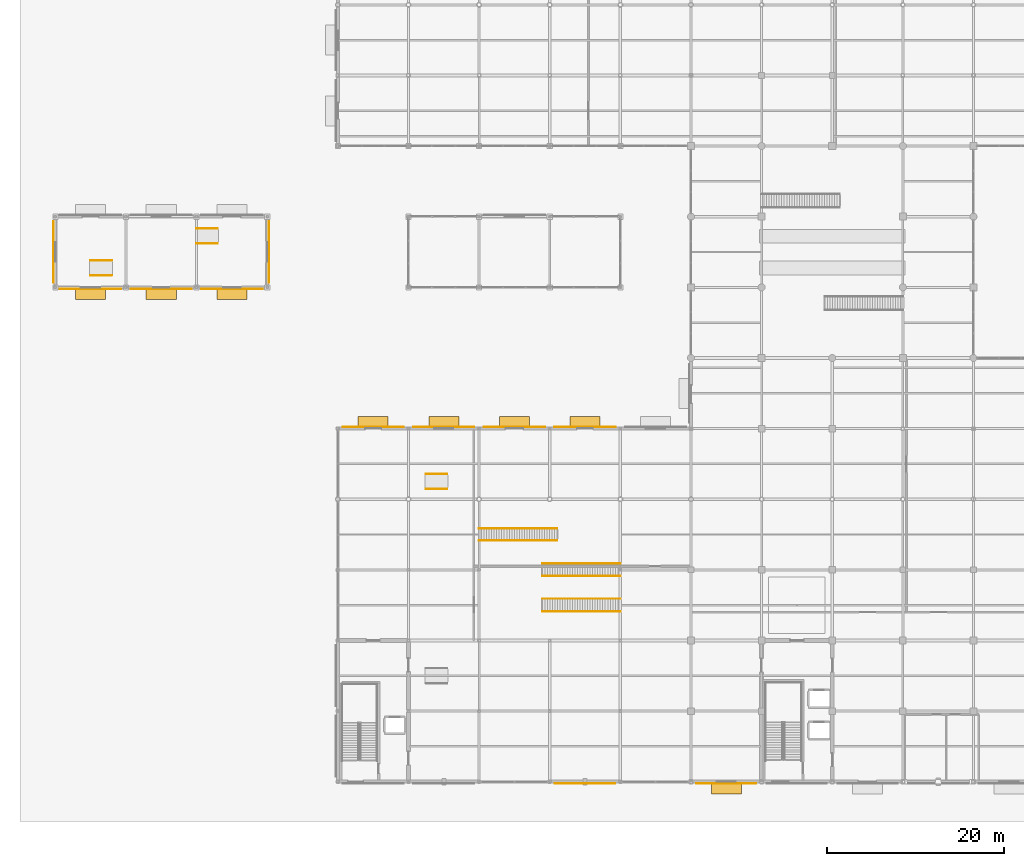
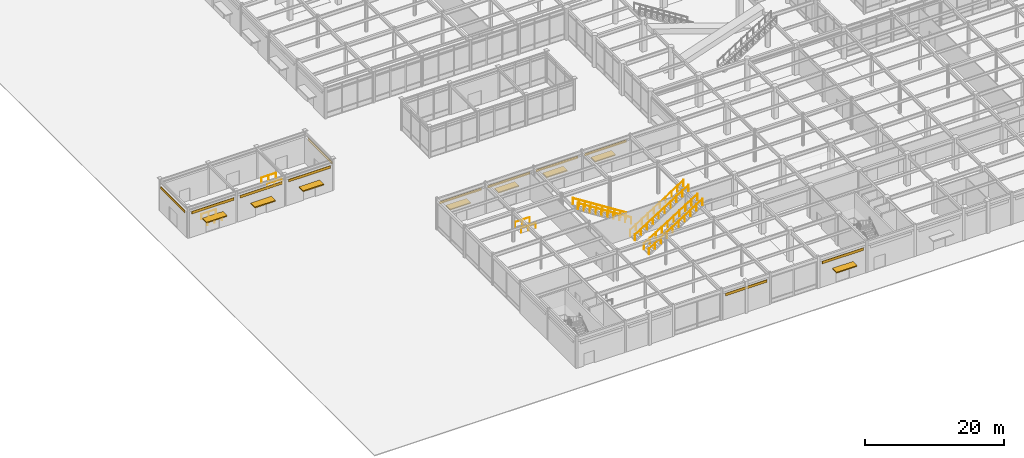
# One storey, part 118 of 128: 18 railings, 11 coverings, 8 shading devices.
"""IFC4 building model written with IfcOpenShell, lengths in metres."""

from ifc_helpers import new_model, si_unit, direction, frame, origin, origin_2d, place, context, subcontext, project, spatial, rectangle, circle, extrude, material, layer, layer_set, type_object, element, save


model = new_model("IFC4")

# Units and contexts
model_context = context("Model", 3, precision=1e-05, world=origin(), true_north=direction((0.0, 1.0)))
body_context = subcontext(model_context, "Body", "Model", "MODEL_VIEW")
ifc_project = project(units=[si_unit("LENGTHUNIT", "METRE"), si_unit("AREAUNIT", "SQUARE_METRE"), si_unit("VOLUMEUNIT", "CUBIC_METRE"), si_unit("PLANEANGLEUNIT", "RADIAN"), si_unit("MASSUNIT", "GRAM", prefix="KILO")], contexts=[model_context])

# Site, building, storey
site_placement = place(None, origin())
site = spatial("IfcSite", under=ifc_project, at=site_placement, CompositionType="ELEMENT")
building_placement = place(site_placement, origin())
building = spatial("IfcBuilding", under=site, at=building_placement, Name="Solmirada Galleria", CompositionType="ELEMENT")
storey_placement = place(building_placement, origin())
storey = spatial("IfcBuildingStorey", under=building, at=storey_placement, Name="L00", CompositionType="ELEMENT", Elevation=0.0)

# Coverings
ifc_material_1 = material(Name="Limestone cladding panels", Category="masonry")
ifc_layer = layer(ifc_material_1, 0.044921875)
ifc_layer_set = layer_set([ifc_layer], Name="Limestone cladding panels")
covering_type = type_object("IfcCoveringType", Name="COV-CLAD-LIME", PredefinedType="CLADDING", material=ifc_layer_set)
covering_1_placement = place(storey_placement, frame((84.0, -0.1923828125, 4.090087890625), z_axis=(0.0, 0.0, 1.0), x_axis=(-1.0, 0.0, 0.0)))
element("IfcCovering", 1, at=covering_1_placement, inside=storey, type_object=covering_type, Name="Postmodern facade cladding L00-043", PredefinedType="CLADDING", context=body_context, shape_type="SweptSolid", body=[
    extrude(rectangle(XDim=6.7939453125, YDim=0.044921875, at=origin_2d()), origin(), (0.0, 0.0, 1.0), 0.4599609375),
])
covering_2_placement = place(storey_placement, frame((68.0, -0.1923828125, 4.090087890625), z_axis=(0.0, 0.0, 1.0), x_axis=(-1.0, 0.0, 0.0)))
element("IfcCovering", 2, at=covering_2_placement, inside=storey, type_object=covering_type, Name="Postmodern facade cladding L00-044", PredefinedType="CLADDING", context=body_context, shape_type="SweptSolid", body=[
    extrude(rectangle(XDim=6.89501953125, YDim=0.044921875, at=origin_2d()), origin(), (0.0, 0.0, 1.0), 0.4599609375),
])
covering_3_placement = place(storey_placement, frame((44.0, 40.1923828125, 4.090087890625), z_axis=(0.0, 0.0, 1.0), x_axis=(1.0, 0.0, 0.0)))
element("IfcCovering", 3, at=covering_3_placement, inside=storey, type_object=covering_type, Name="Postmodern facade cladding L00-049", PredefinedType="CLADDING", context=body_context, shape_type="SweptSolid", body=[
    extrude(rectangle(XDim=6.92041015625, YDim=0.044921875, at=origin_2d()), origin(), (0.0, 0.0, 1.0), 0.4599609375),
])
for number, where, z_axis, x_axis, name in (
    (4, (52.0, 40.1923828125, 4.090087890625), (0.0, 0.0, 1.0), (1.0, 0.0, 0.0), "Postmodern facade cladding L00-050"),
    (5, (60.0, 40.1923828125, 4.090087890625), (0.0, 0.0, 1.0), (1.0, 0.0, 0.0), "Postmodern facade cladding L00-051"),
    (6, (68.0, 40.1923828125, 4.090087890625), (0.0, 0.0, 1.0), (1.0, 0.0, 0.0), "Postmodern facade cladding L00-052"),
    (7, (28.0, 55.8076171875, 4.090087890625), (0.0, 0.0, 1.0), (-1.0, 0.0, 0.0), "Postmodern facade cladding L00-054"),
    (8, (20.0, 55.8076171875, 4.090087890625), (0.0, 0.0, 1.0), (-1.0, 0.0, 0.0), "Postmodern facade cladding L00-055"),
    (9, (12.0, 55.8076171875, 4.090087890625), (0.0, 0.0, 1.0), (-1.0, 0.0, 0.0), "Postmodern facade cladding L00-056"),
    (10, (7.8076171875, 60.0, 4.090087890625), (0.0, 0.0, 1.0), (0.0, 1.0, 0.0), "Postmodern facade cladding L00-057"),
    (11, (32.1923828125, 60.0, 4.090087890625), (0.0, 0.0, 1.0), (0.0, -1.0, 0.0), "Postmodern facade cladding L00-061"),
):
    element("IfcCovering", number, at=place(storey_placement, frame(where, z_axis=z_axis, x_axis=x_axis)), inside=storey, type_object=covering_type, Name=name, PredefinedType="CLADDING", context=body_context, shape_type="SweptSolid", body=[
        extrude(rectangle(XDim=6.946044921875, YDim=0.044921875, at=origin_2d()), origin(), (0.0, 0.0, 1.0), 0.4599609375),
    ])

# Railings
ifc_material_2 = material(Name="Painted steel tubular railing", Category="steel")
railing_type_1 = type_object("IfcRailingType", Name="RAIL-STAIR-GUARD", PredefinedType="GUARDRAIL", material=ifc_material_2)
for number, where, name in (
    (12, (63.1650390625, 19.27490234375, 0.0), "Grand feature stair ST9 guardrail 1"),
    (13, (63.1650390625, 20.72509765625, 0.0), "Grand feature stair ST9 guardrail 2"),
):
    element("IfcRailing", number, at=place(storey_placement, frame(where)), inside=storey, type_object=railing_type_1, Name=name, PredefinedType="GUARDRAIL", context=body_context, shape_type="SweptSolid", body=[
        extrude(circle(Radius=0.02392578125, at=origin_2d()), frame((0.0, 0.0, 1.09619140625), z_axis=(0.844619268308, 0.0, 0.535367436069), x_axis=(0.0, 1.0, 0.0)), (0.0, 0.0, 1.0), 10.460205078125),
        extrude(circle(Radius=0.02099609375, at=origin_2d()), origin(), (0.0, 0.0, 1.0), 1.068115234375),
        extrude(circle(Radius=0.02099609375, at=origin_2d()), frame((0.981689453125, 0.0, 0.622314453125)), (0.0, 0.0, 1.0), 1.068115234375),
        extrude(circle(Radius=0.02099609375, at=origin_2d()), frame((1.96337890625, 0.0, 1.244384765625)), (0.0, 0.0, 1.0), 1.068115234375),
        extrude(circle(Radius=0.02099609375, at=origin_2d()), frame((2.945068359375, 0.0, 1.86669921875)), (0.0, 0.0, 1.0), 1.068115234375),
        extrude(circle(Radius=0.02099609375, at=origin_2d()), frame((3.9267578125, 0.0, 2.489013671875)), (0.0, 0.0, 1.0), 1.068115234375),
        extrude(circle(Radius=0.02099609375, at=origin_2d()), frame((4.908203125, 0.0, 3.111083984375)), (0.0, 0.0, 1.0), 1.068115234375),
        extrude(circle(Radius=0.02099609375, at=origin_2d()), frame((5.889892578125, 0.0, 3.7333984375)), (0.0, 0.0, 1.0), 1.068115234375),
        extrude(circle(Radius=0.02099609375, at=origin_2d()), frame((6.87158203125, 0.0, 4.355712890625)), (0.0, 0.0, 1.0), 1.068115234375),
        extrude(circle(Radius=0.02099609375, at=origin_2d()), frame((7.853271484375, 0.0, 4.977783203125)), (0.0, 0.0, 1.0), 1.068115234375),
        extrude(circle(Radius=0.02099609375, at=origin_2d()), frame((8.8349609375, 0.0, 5.60009765625)), (0.0, 0.0, 1.0), 1.068115234375),
    ])
for number, where, name in (
    (14, (64.8349609375, 27.300048828125, 0.0), "Grand feature stair ST10 guardrail 1"),
    (15, (64.8349609375, 28.699951171875, 0.0), "Grand feature stair ST10 guardrail 2"),
):
    element("IfcRailing", number, at=place(storey_placement, frame(where)), inside=storey, type_object=railing_type_1, Name=name, PredefinedType="GUARDRAIL", context=body_context, shape_type="SweptSolid", body=[
        extrude(circle(Radius=0.02392578125, at=origin_2d()), frame((0.0, 0.0, 1.09619140625), z_axis=(-0.844619268308, 0.0, 0.535367436069), x_axis=(0.0, -1.0, 0.0)), (0.0, 0.0, 1.0), 10.460205078125),
        extrude(circle(Radius=0.02099609375, at=origin_2d()), origin(), (0.0, 0.0, 1.0), 1.068115234375),
        extrude(circle(Radius=0.02099609375, at=origin_2d()), frame((-0.981689453125, 0.0, 0.622314453125)), (0.0, 0.0, 1.0), 1.068115234375),
        extrude(circle(Radius=0.02099609375, at=origin_2d()), frame((-1.96337890625, 0.0, 1.244384765625)), (0.0, 0.0, 1.0), 1.068115234375),
        extrude(circle(Radius=0.02099609375, at=origin_2d()), frame((-2.945068359375, 0.0, 1.86669921875)), (0.0, 0.0, 1.0), 1.068115234375),
        extrude(circle(Radius=0.02099609375, at=origin_2d()), frame((-3.9267578125, 0.0, 2.489013671875)), (0.0, 0.0, 1.0), 1.068115234375),
        extrude(circle(Radius=0.02099609375, at=origin_2d()), frame((-4.908203125, 0.0, 3.111083984375)), (0.0, 0.0, 1.0), 1.068115234375),
        extrude(circle(Radius=0.02099609375, at=origin_2d()), frame((-5.889892578125, 0.0, 3.7333984375)), (0.0, 0.0, 1.0), 1.068115234375),
        extrude(circle(Radius=0.02099609375, at=origin_2d()), frame((-6.87158203125, 0.0, 4.355712890625)), (0.0, 0.0, 1.0), 1.068115234375),
        extrude(circle(Radius=0.02099609375, at=origin_2d()), frame((-7.853271484375, 0.0, 4.977783203125)), (0.0, 0.0, 1.0), 1.068115234375),
        extrude(circle(Radius=0.02099609375, at=origin_2d()), frame((-8.8349609375, 0.0, 5.60009765625)), (0.0, 0.0, 1.0), 1.068115234375),
    ])
for number, where, name in (
    (16, (63.1650390625, 23.300048828125, 0.0), "Grand feature stair ST11 guardrail 1"),
    (17, (63.1650390625, 24.699951171875, 0.0), "Grand feature stair ST11 guardrail 2"),
):
    element("IfcRailing", number, at=place(storey_placement, frame(where)), inside=storey, type_object=railing_type_1, Name=name, PredefinedType="GUARDRAIL", context=body_context, shape_type="SweptSolid", body=[
        extrude(circle(Radius=0.02392578125, at=origin_2d()), frame((0.0, 0.0, 1.09619140625), z_axis=(0.844619268308, 0.0, 0.535367436069), x_axis=(0.0, 1.0, 0.0)), (0.0, 0.0, 1.0), 10.460205078125),
        extrude(circle(Radius=0.02099609375, at=origin_2d()), origin(), (0.0, 0.0, 1.0), 1.068115234375),
        extrude(circle(Radius=0.02099609375, at=origin_2d()), frame((0.981689453125, 0.0, 0.622314453125)), (0.0, 0.0, 1.0), 1.068115234375),
        extrude(circle(Radius=0.02099609375, at=origin_2d()), frame((1.96337890625, 0.0, 1.244384765625)), (0.0, 0.0, 1.0), 1.068115234375),
        extrude(circle(Radius=0.02099609375, at=origin_2d()), frame((2.945068359375, 0.0, 1.86669921875)), (0.0, 0.0, 1.0), 1.068115234375),
        extrude(circle(Radius=0.02099609375, at=origin_2d()), frame((3.9267578125, 0.0, 2.489013671875)), (0.0, 0.0, 1.0), 1.068115234375),
        extrude(circle(Radius=0.02099609375, at=origin_2d()), frame((4.908203125, 0.0, 3.111083984375)), (0.0, 0.0, 1.0), 1.068115234375),
        extrude(circle(Radius=0.02099609375, at=origin_2d()), frame((5.889892578125, 0.0, 3.7333984375)), (0.0, 0.0, 1.0), 1.068115234375),
        extrude(circle(Radius=0.02099609375, at=origin_2d()), frame((6.87158203125, 0.0, 4.355712890625)), (0.0, 0.0, 1.0), 1.068115234375),
        extrude(circle(Radius=0.02099609375, at=origin_2d()), frame((7.853271484375, 0.0, 4.977783203125)), (0.0, 0.0, 1.0), 1.068115234375),
        extrude(circle(Radius=0.02099609375, at=origin_2d()), frame((8.8349609375, 0.0, 5.60009765625)), (0.0, 0.0, 1.0), 1.068115234375),
    ])
railing_type_2 = type_object("IfcRailingType", Name="RAIL-STAIR-HAND", PredefinedType="HANDRAIL", material=ifc_material_2)
for number, where, name in (
    (18, (63.1650390625, 19.27490234375, 0.175048828125), "Grand feature stair ST9 handrail 1"),
    (19, (63.1650390625, 20.72509765625, 0.175048828125), "Grand feature stair ST9 handrail 2"),
):
    element("IfcRailing", number, at=place(storey_placement, frame(where)), inside=storey, type_object=railing_type_2, Name=name, PredefinedType="HANDRAIL", context=body_context, shape_type="SweptSolid", body=[
        extrude(circle(Radius=0.02392578125, at=origin_2d()), frame((0.0, 0.0, 0.8759765625), z_axis=(0.844629822088, 0.0, 0.535350785598), x_axis=(0.0, 1.0, 0.0)), (0.0, 0.0, 1.0), 10.460205078125),
        extrude(circle(Radius=0.02099609375, at=origin_2d()), origin(), (0.0, 0.0, 1.0), 0.847900390625),
        extrude(circle(Radius=0.02099609375, at=origin_2d()), frame((0.981689453125, 0.0, 0.622314453125)), (0.0, 0.0, 1.0), 0.847900390625),
        extrude(circle(Radius=0.02099609375, at=origin_2d()), frame((1.96337890625, 0.0, 1.244384765625)), (0.0, 0.0, 1.0), 0.847900390625),
        extrude(circle(Radius=0.02099609375, at=origin_2d()), frame((2.945068359375, 0.0, 1.86669921875)), (0.0, 0.0, 1.0), 0.847900390625),
        extrude(circle(Radius=0.02099609375, at=origin_2d()), frame((3.9267578125, 0.0, 2.48876953125)), (0.0, 0.0, 1.0), 0.847900390625),
        extrude(circle(Radius=0.02099609375, at=origin_2d()), frame((4.908203125, 0.0, 3.111083984375)), (0.0, 0.0, 1.0), 0.847900390625),
        extrude(circle(Radius=0.02099609375, at=origin_2d()), frame((5.889892578125, 0.0, 3.733154296875)), (0.0, 0.0, 1.0), 0.847900390625),
        extrude(circle(Radius=0.02099609375, at=origin_2d()), frame((6.87158203125, 0.0, 4.35546875)), (0.0, 0.0, 1.0), 0.847900390625),
        extrude(circle(Radius=0.02099609375, at=origin_2d()), frame((7.853271484375, 0.0, 4.9775390625)), (0.0, 0.0, 1.0), 0.847900390625),
        extrude(circle(Radius=0.02099609375, at=origin_2d()), frame((8.8349609375, 0.0, 5.599853515625)), (0.0, 0.0, 1.0), 0.847900390625),
    ])
for number, where, name in (
    (20, (64.8349609375, 27.300048828125, 0.175048828125), "Grand feature stair ST10 handrail 1"),
    (21, (64.8349609375, 28.699951171875, 0.175048828125), "Grand feature stair ST10 handrail 2"),
):
    element("IfcRailing", number, at=place(storey_placement, frame(where)), inside=storey, type_object=railing_type_2, Name=name, PredefinedType="HANDRAIL", context=body_context, shape_type="SweptSolid", body=[
        extrude(circle(Radius=0.02392578125, at=origin_2d()), frame((0.0, 0.0, 0.8759765625), z_axis=(-0.844629822088, 0.0, 0.535350785598), x_axis=(0.0, -1.0, 0.0)), (0.0, 0.0, 1.0), 10.460205078125),
        extrude(circle(Radius=0.02099609375, at=origin_2d()), origin(), (0.0, 0.0, 1.0), 0.847900390625),
        extrude(circle(Radius=0.02099609375, at=origin_2d()), frame((-0.981689453125, 0.0, 0.622314453125)), (0.0, 0.0, 1.0), 0.847900390625),
        extrude(circle(Radius=0.02099609375, at=origin_2d()), frame((-1.96337890625, 0.0, 1.244384765625)), (0.0, 0.0, 1.0), 0.847900390625),
        extrude(circle(Radius=0.02099609375, at=origin_2d()), frame((-2.945068359375, 0.0, 1.86669921875)), (0.0, 0.0, 1.0), 0.847900390625),
        extrude(circle(Radius=0.02099609375, at=origin_2d()), frame((-3.9267578125, 0.0, 2.48876953125)), (0.0, 0.0, 1.0), 0.847900390625),
        extrude(circle(Radius=0.02099609375, at=origin_2d()), frame((-4.908203125, 0.0, 3.111083984375)), (0.0, 0.0, 1.0), 0.847900390625),
        extrude(circle(Radius=0.02099609375, at=origin_2d()), frame((-5.889892578125, 0.0, 3.733154296875)), (0.0, 0.0, 1.0), 0.847900390625),
        extrude(circle(Radius=0.02099609375, at=origin_2d()), frame((-6.87158203125, 0.0, 4.35546875)), (0.0, 0.0, 1.0), 0.847900390625),
        extrude(circle(Radius=0.02099609375, at=origin_2d()), frame((-7.853271484375, 0.0, 4.9775390625)), (0.0, 0.0, 1.0), 0.847900390625),
        extrude(circle(Radius=0.02099609375, at=origin_2d()), frame((-8.8349609375, 0.0, 5.599853515625)), (0.0, 0.0, 1.0), 0.847900390625),
    ])
for number, where, name in (
    (22, (63.1650390625, 23.300048828125, 0.175048828125), "Grand feature stair ST11 handrail 1"),
    (23, (63.1650390625, 24.699951171875, 0.175048828125), "Grand feature stair ST11 handrail 2"),
):
    element("IfcRailing", number, at=place(storey_placement, frame(where)), inside=storey, type_object=railing_type_2, Name=name, PredefinedType="HANDRAIL", context=body_context, shape_type="SweptSolid", body=[
        extrude(circle(Radius=0.02392578125, at=origin_2d()), frame((0.0, 0.0, 0.8759765625), z_axis=(0.844629822088, 0.0, 0.535350785598), x_axis=(0.0, 1.0, 0.0)), (0.0, 0.0, 1.0), 10.460205078125),
        extrude(circle(Radius=0.02099609375, at=origin_2d()), origin(), (0.0, 0.0, 1.0), 0.847900390625),
        extrude(circle(Radius=0.02099609375, at=origin_2d()), frame((0.981689453125, 0.0, 0.622314453125)), (0.0, 0.0, 1.0), 0.847900390625),
        extrude(circle(Radius=0.02099609375, at=origin_2d()), frame((1.96337890625, 0.0, 1.244384765625)), (0.0, 0.0, 1.0), 0.847900390625),
        extrude(circle(Radius=0.02099609375, at=origin_2d()), frame((2.945068359375, 0.0, 1.86669921875)), (0.0, 0.0, 1.0), 0.847900390625),
        extrude(circle(Radius=0.02099609375, at=origin_2d()), frame((3.9267578125, 0.0, 2.48876953125)), (0.0, 0.0, 1.0), 0.847900390625),
        extrude(circle(Radius=0.02099609375, at=origin_2d()), frame((4.908203125, 0.0, 3.111083984375)), (0.0, 0.0, 1.0), 0.847900390625),
        extrude(circle(Radius=0.02099609375, at=origin_2d()), frame((5.889892578125, 0.0, 3.733154296875)), (0.0, 0.0, 1.0), 0.847900390625),
        extrude(circle(Radius=0.02099609375, at=origin_2d()), frame((6.87158203125, 0.0, 4.35546875)), (0.0, 0.0, 1.0), 0.847900390625),
        extrude(circle(Radius=0.02099609375, at=origin_2d()), frame((7.853271484375, 0.0, 4.9775390625)), (0.0, 0.0, 1.0), 0.847900390625),
        extrude(circle(Radius=0.02099609375, at=origin_2d()), frame((8.8349609375, 0.0, 5.599853515625)), (0.0, 0.0, 1.0), 0.847900390625),
    ])
for number, where, name in (
    (24, (12.0, 57.35009765625, 0.0), "Accessible ramp handrail AR-W1-1"),
    (25, (12.0, 59.050048828125, 0.0), "Accessible ramp handrail AR-W1-2"),
    (26, (24.0, 60.949951171875, 0.0), "Accessible ramp handrail AR-W2-1"),
    (27, (24.0, 62.64990234375, 0.0), "Accessible ramp handrail AR-W2-2"),
    (28, (50.0, 33.14990234375, 0.0), "Accessible ramp handrail AR-SW2-1"),
    (29, (50.0, 34.85009765625, 0.0), "Accessible ramp handrail AR-SW2-2"),
):
    element("IfcRailing", number, at=place(storey_placement, frame(where)), inside=storey, type_object=railing_type_2, Name=name, PredefinedType="HANDRAIL", context=body_context, shape_type="SweptSolid", body=[
        extrude(circle(Radius=0.02392578125, at=origin_2d()), frame((0.0, 0.0, 0.8759765625), z_axis=(0.999965208912, 0.0, 0.008341520563), x_axis=(0.0, 1.0, 0.0)), (0.0, 0.0, 1.0), 2.39990234375),
        extrude(circle(Radius=0.02099609375, at=origin_2d()), origin(), (0.0, 0.0, 1.0), 0.847900390625),
        extrude(circle(Radius=0.02099609375, at=origin_2d()), frame((1.199951171875, 0.0, 0.010009765625)), (0.0, 0.0, 1.0), 0.847900390625),
        extrude(circle(Radius=0.02099609375, at=origin_2d()), frame((2.39990234375, 0.0, 0.02001953125)), (0.0, 0.0, 1.0), 0.847900390625),
    ])

# Shading devices
ifc_material_3 = material(Name="Extruded aluminium storm louvres", Category="aluminium")
shading_device_type = type_object("IfcShadingDeviceType", Name="SHD-AWNING", PredefinedType="AWNING", material=ifc_material_3)
for number, where, z_axis, x_axis, name in (
    (30, (84.0, -0.77001953125, 2.56005859375), (0.0, 0.0, 1.0), (-1.0, 0.0, 0.0), "Storm entrance awning canopy 027"),
    (31, (44.0, 40.77001953125, 2.41015625), (0.0, 0.0, 1.0), (1.0, 0.0, 0.0), "Storm entrance awning canopy 028"),
    (32, (52.0, 40.77001953125, 2.56005859375), (0.0, 0.0, 1.0), (1.0, 0.0, 0.0), "Storm entrance awning canopy 029"),
    (33, (60.0, 40.77001953125, 2.4599609375), (0.0, 0.0, 1.0), (1.0, 0.0, 0.0), "Storm entrance awning canopy 030"),
    (34, (68.0, 40.77001953125, 2.41015625), (0.0, 0.0, 1.0), (1.0, 0.0, 0.0), "Storm entrance awning canopy 031"),
    (35, (28.0, 55.22998046875, 2.4599609375), (0.0, 0.0, 1.0), (-1.0, 0.0, 0.0), "Storm entrance awning canopy 033"),
    (36, (20.0, 55.22998046875, 2.41015625), (0.0, 0.0, 1.0), (-1.0, 0.0, 0.0), "Storm entrance awning canopy 034"),
    (37, (12.0, 55.22998046875, 2.56005859375), (0.0, 0.0, 1.0), (-1.0, 0.0, 0.0), "Storm entrance awning canopy 035"),
):
    element("IfcShadingDevice", number, at=place(storey_placement, frame(where, z_axis=z_axis, x_axis=x_axis)), inside=storey, type_object=shading_device_type, Name=name, PredefinedType="AWNING", context=body_context, shape_type="SweptSolid", body=[
        extrude(rectangle(XDim=3.39990234375, YDim=1.199951171875, at=origin_2d()), origin(), (0.0, 0.0, 1.0), 0.179931640625),
    ])

save(model, "model.ifc")
